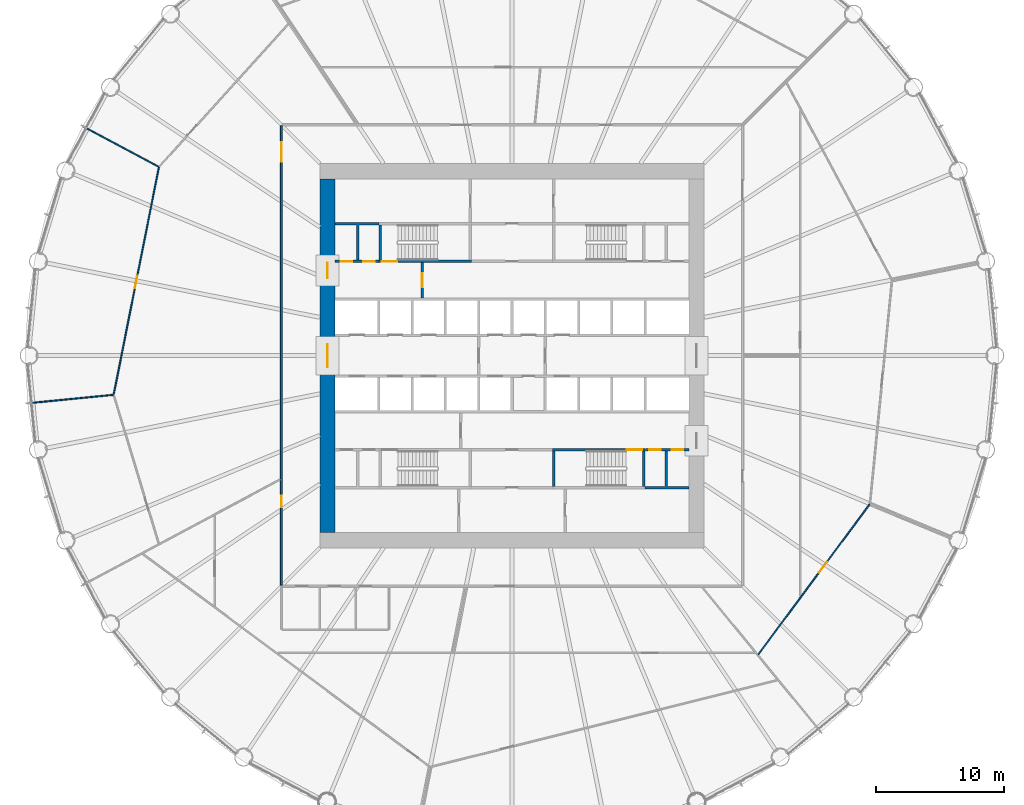
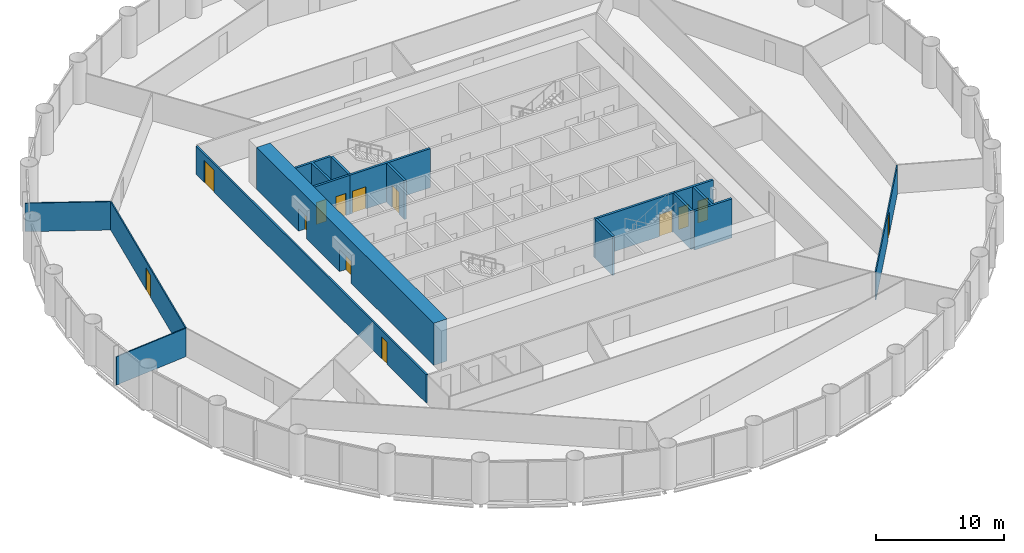
# One storey, part 11 of 15: 16 walls, 13 doors, 13 openings.
"""IFC4 building model written with IfcOpenShell, lengths in metres."""

from ifc_helpers import new_model, si_unit, direction, frame, frame_2d, origin, place, context, subcontext, project, spatial, polyline, rectangle, outline, extrude, material, layer, layer_set, type_object, element, fill, save


model = new_model("IFC4")

# Units and contexts
model_context = context("Model", 3, precision=1e-05, world=origin(), true_north=direction((0.0, 1.0)))
body_context = subcontext(model_context, "Body", "Model", "MODEL_VIEW")
ifc_project = project(units=[si_unit("LENGTHUNIT", "METRE"), si_unit("AREAUNIT", "SQUARE_METRE"), si_unit("VOLUMEUNIT", "CUBIC_METRE"), si_unit("PLANEANGLEUNIT", "RADIAN"), si_unit("MASSUNIT", "GRAM", prefix="KILO")], contexts=[model_context])

# Site, building, storey
site_placement = place(None, origin())
site = spatial("IfcSite", under=ifc_project, at=site_placement, CompositionType="ELEMENT")
building_placement = place(site_placement, origin())
building = spatial("IfcBuilding", under=site, at=building_placement, Name="Corvane Civic Tower", CompositionType="ELEMENT")
storey_placement = place(building_placement, frame((0.0, 0.0, 45.0)))
storey = spatial("IfcBuildingStorey", under=building, at=storey_placement, Name="L09", CompositionType="ELEMENT", Elevation=45.0)

# Wall, openings, doors
ifc_material_1 = material(Name="Concrete C80/95", Category="concrete")
ifc_layer_1 = layer(ifc_material_1, 1.199951171875)
ifc_layer_set_1 = layer_set([ifc_layer_1], Name="Concrete C80/95")
wall_type_1 = type_object("IfcWallType", Name="CORE WALL 1200 C80/95", PredefinedType="SHEAR", material=ifc_layer_set_1)
wall_1_placement = place(storey_placement, frame((-14.39990234375, -13.800048828125, 0.0), z_axis=(0.0, 0.0, 1.0), x_axis=(0.0, 1.0, 0.0)))
wall_1 = element("IfcWall", 1, at=wall_1_placement, inside=storey, type_object=wall_type_1, Name="W-L09-core-W", PredefinedType="SHEAR", context=body_context, shape_type="SweptSolid", body=[
    extrude(rectangle(XDim=27.60009765625, YDim=1.199951171875, at=frame_2d((13.800048828125, 0.0))), origin(), (0.0, 0.0, 1.0), 4.0),
])
opening_1_placement = place(wall_1_placement, frame((12.89990234375, 0.0, 0.0)))
opening_1 = element("IfcOpeningElement", 2, at=opening_1_placement, cuts=wall_1, Name="Opening L09.C26", PredefinedType="OPENING", context=body_context, shape_type="SweptSolid", body=[
    extrude(rectangle(XDim=1.800048828125, YDim=2.10009765625, at=frame_2d((0.89990234375, 1.050048828125))), frame((0.0, 0.60986328125, 0.0), z_axis=(0.0, -1.0, 0.0), x_axis=(1.0, 0.0, 0.0)), (0.0, 0.0, 1.0), 1.219970703125),
])
opening_2_placement = place(wall_1_placement, frame((19.85009765625, 0.0, 0.0)))
opening_2 = element("IfcOpeningElement", 3, at=opening_2_placement, cuts=wall_1, Name="Opening L09.C28", PredefinedType="OPENING", context=body_context, shape_type="SweptSolid", body=[
    extrude(rectangle(XDim=1.199951171875, YDim=2.10009765625, at=frame_2d((0.60009765625, 1.050048828125))), frame((0.0, 0.60986328125, 0.0), z_axis=(0.0, -1.0, 0.0), x_axis=(1.0, 0.0, 0.0)), (0.0, 0.0, 1.0), 1.219970703125),
])
ifc_material_2 = material(Name="Steel fire door leaf", Category="steel")
door_type_1 = type_object("IfcDoorType", Name="CR-DOOR-CORE-1800", OperationType="DOUBLE_DOOR_SINGLE_SWING", PredefinedType="DOOR", material=ifc_material_2)
door_1_placement = place(opening_1_placement, origin())
door_1 = element("IfcDoor", 4, at=door_1_placement, inside=storey, type_object=door_type_1, Name="L09 door", OperationType="DOUBLE_DOOR_SINGLE_SWING", OverallHeight=2.10009765625, OverallWidth=1.800048828125, PredefinedType="DOOR", context=body_context, shape_type="SweptSolid", body=[
    extrude(rectangle(XDim=1.800048828125, YDim=2.10009765625, at=frame_2d((0.89990234375, 1.050048828125))), frame((0.0, 0.02490234375, 0.0), z_axis=(0.0, -1.0, 0.0), x_axis=(1.0, 0.0, 0.0)), (0.0, 0.0, 1.0), 0.050048828125),
])
fill(opening_1, door_1)
door_2_placement = place(opening_2_placement, origin())
door_2 = element("IfcDoor", 5, at=door_2_placement, inside=storey, type_object=door_type_1, Name="L09 door", OperationType="DOUBLE_DOOR_SINGLE_SWING", OverallHeight=2.10009765625, OverallWidth=1.199951171875, PredefinedType="DOOR", context=body_context, shape_type="SweptSolid", body=[
    extrude(rectangle(XDim=1.199951171875, YDim=2.10009765625, at=frame_2d((0.60009765625, 1.050048828125))), frame((0.0, 0.02490234375, 0.0), z_axis=(0.0, -1.0, 0.0), x_axis=(1.0, 0.0, 0.0)), (0.0, 0.0, 1.0), 0.050048828125),
])
fill(opening_2, door_2)

ifc_material_3 = material(Name="Concrete C30/37", Category="concrete")
ifc_layer_2 = layer(ifc_material_3, 0.199951171875)
ifc_layer_set_2 = layer_set([ifc_layer_2], Name="Concrete C30/37")
wall_type_2 = type_object("IfcWallType", Name="CR-WALL-200", PredefinedType="PARTITIONING", material=ifc_layer_set_2)
wall_2_placement = place(storey_placement, frame((10.39990234375, -7.35009765625, 0.0), z_axis=(0.0, 0.0, 1.0), x_axis=(1.0, 0.0, 0.0)))
wall_2 = element("IfcWall", 6, at=wall_2_placement, inside=storey, type_object=wall_type_2, Name="L09 core partition wall", PredefinedType="PARTITIONING", context=body_context, shape_type="SweptSolid", body=[
    extrude(rectangle(XDim=3.400146484375, YDim=0.199951171875, at=frame_2d((1.7001953125, 0.0))), origin(), (0.0, 0.0, 1.0), 3.699951171875),
])
opening_3_placement = place(wall_2_placement, frame((0.324951171875, 0.0, 0.0)))
opening_3 = element("IfcOpeningElement", 7, at=opening_3_placement, cuts=wall_2, Name="Opening L09.C16", PredefinedType="OPENING", context=body_context, shape_type="SweptSolid", body=[
    extrude(rectangle(XDim=0.89990234375, YDim=2.10009765625, at=frame_2d((0.449951171875, 1.050048828125))), frame((0.0, 0.10986328125, 0.0), z_axis=(0.0, -1.0, 0.0), x_axis=(1.0, 0.0, 0.0)), (0.0, 0.0, 1.0), 0.219970703125),
])
opening_4_placement = place(wall_2_placement, frame((2.074951171875, 0.0, 0.0)))
opening_4 = element("IfcOpeningElement", 8, at=opening_4_placement, cuts=wall_2, Name="Opening L09.C17", PredefinedType="OPENING", context=body_context, shape_type="SweptSolid", body=[
    extrude(rectangle(XDim=0.89990234375, YDim=2.10009765625, at=frame_2d((0.449951171875, 1.050048828125))), frame((0.0, 0.10986328125, 0.0), z_axis=(0.0, -1.0, 0.0), x_axis=(1.0, 0.0, 0.0)), (0.0, 0.0, 1.0), 0.219970703125),
])
ifc_material_4 = material(Name="Steel fire door leaf", Category="steel")
door_type_2 = type_object("IfcDoorType", Name="CR-DOOR-900", OperationType="SINGLE_SWING_LEFT", PredefinedType="DOOR", material=ifc_material_4)
door_3_placement = place(opening_3_placement, origin())
door_3 = element("IfcDoor", 9, at=door_3_placement, inside=storey, type_object=door_type_2, Name="L09 door", OperationType="SINGLE_SWING_LEFT", OverallHeight=2.10009765625, OverallWidth=0.89990234375, PredefinedType="DOOR", context=body_context, shape_type="SweptSolid", body=[
    extrude(rectangle(XDim=0.89990234375, YDim=2.10009765625, at=frame_2d((0.449951171875, 1.050048828125))), frame((0.0, 0.02490234375, 0.0), z_axis=(0.0, -1.0, 0.0), x_axis=(1.0, 0.0, 0.0)), (0.0, 0.0, 1.0), 0.050048828125),
])
fill(opening_3, door_3)
door_4_placement = place(opening_4_placement, origin())
door_4 = element("IfcDoor", 10, at=door_4_placement, inside=storey, type_object=door_type_2, Name="L09 door", OperationType="SINGLE_SWING_LEFT", OverallHeight=2.10009765625, OverallWidth=0.89990234375, PredefinedType="DOOR", context=body_context, shape_type="SweptSolid", body=[
    extrude(rectangle(XDim=0.89990234375, YDim=2.10009765625, at=frame_2d((0.449951171875, 1.050048828125))), frame((0.0, 0.02490234375, 0.0), z_axis=(0.0, -1.0, 0.0), x_axis=(1.0, 0.0, 0.0)), (0.0, 0.0, 1.0), 0.050048828125),
])
fill(opening_4, door_4)

wall_3_placement = place(storey_placement, frame((-13.800048828125, 7.35009765625, 0.0), z_axis=(0.0, 0.0, 1.0), x_axis=(1.0, 0.0, 0.0)))
wall_3 = element("IfcWall", 11, at=wall_3_placement, inside=storey, type_object=wall_type_2, Name="L09 core partition wall", PredefinedType="PARTITIONING", context=body_context, shape_type="SweptSolid", body=[
    extrude(rectangle(XDim=3.400146484375, YDim=0.199951171875, at=frame_2d((1.7001953125, 0.0))), origin(), (0.0, 0.0, 1.0), 3.699951171875),
])
opening_5_placement = place(wall_3_placement, frame((0.425048828125, 0.0, 0.0)))
opening_5 = element("IfcOpeningElement", 12, at=opening_5_placement, cuts=wall_3, Name="Opening L09.C10", PredefinedType="OPENING", context=body_context, shape_type="SweptSolid", body=[
    extrude(rectangle(XDim=0.89990234375, YDim=2.10009765625, at=frame_2d((0.449951171875, 1.050048828125))), frame((0.0, 0.10986328125, 0.0), z_axis=(0.0, -1.0, 0.0), x_axis=(1.0, 0.0, 0.0)), (0.0, 0.0, 1.0), 0.219970703125),
])
opening_6_placement = place(wall_3_placement, frame((2.175048828125, 0.0, 0.0)))
opening_6 = element("IfcOpeningElement", 13, at=opening_6_placement, cuts=wall_3, Name="Opening L09.C11", PredefinedType="OPENING", context=body_context, shape_type="SweptSolid", body=[
    extrude(rectangle(XDim=0.89990234375, YDim=2.10009765625, at=frame_2d((0.449951171875, 1.050048828125))), frame((0.0, 0.10986328125, 0.0), z_axis=(0.0, -1.0, 0.0), x_axis=(1.0, 0.0, 0.0)), (0.0, 0.0, 1.0), 0.219970703125),
])
door_5_placement = place(opening_5_placement, origin())
door_5 = element("IfcDoor", 14, at=door_5_placement, inside=storey, type_object=door_type_2, Name="L09 door", OperationType="SINGLE_SWING_LEFT", OverallHeight=2.10009765625, OverallWidth=0.89990234375, PredefinedType="DOOR", context=body_context, shape_type="SweptSolid", body=[
    extrude(rectangle(XDim=0.89990234375, YDim=2.10009765625, at=frame_2d((0.449951171875, 1.050048828125))), frame((0.0, 0.02490234375, 0.0), z_axis=(0.0, -1.0, 0.0), x_axis=(1.0, 0.0, 0.0)), (0.0, 0.0, 1.0), 0.050048828125),
])
fill(opening_5, door_5)
door_6_placement = place(opening_6_placement, origin())
door_6 = element("IfcDoor", 15, at=door_6_placement, inside=storey, type_object=door_type_2, Name="L09 door", OperationType="SINGLE_SWING_LEFT", OverallHeight=2.10009765625, OverallWidth=0.89990234375, PredefinedType="DOOR", context=body_context, shape_type="SweptSolid", body=[
    extrude(rectangle(XDim=0.89990234375, YDim=2.10009765625, at=frame_2d((0.449951171875, 1.050048828125))), frame((0.0, 0.02490234375, 0.0), z_axis=(0.0, -1.0, 0.0), x_axis=(1.0, 0.0, 0.0)), (0.0, 0.0, 1.0), 0.050048828125),
])
fill(opening_6, door_6)

# Wall, opening, door
wall_4_placement = place(storey_placement, frame((-7.0, 4.5, 0.0), z_axis=(0.0, 0.0, 1.0), x_axis=(0.0, 1.0, 0.0)))
wall_4 = element("IfcWall", 16, at=wall_4_placement, inside=storey, type_object=wall_type_2, Name="L09 core partition wall", PredefinedType="PARTITIONING", context=body_context, shape_type="SweptSolid", body=[
    extrude(rectangle(XDim=2.75, YDim=0.199951171875, at=frame_2d((1.375, 0.0))), origin(), (0.0, 0.0, 1.0), 3.699951171875),
])
opening_7_placement = place(wall_4_placement, frame((0.824951171875, 0.0, 0.0)))
opening_7 = element("IfcOpeningElement", 17, at=opening_7_placement, cuts=wall_4, Name="Opening L09.C24", PredefinedType="OPENING", context=body_context, shape_type="SweptSolid", body=[
    extrude(rectangle(XDim=1.10009765625, YDim=2.10009765625, at=frame_2d((0.550048828125, 1.050048828125))), frame((0.0, 0.10986328125, 0.0), z_axis=(0.0, -1.0, 0.0), x_axis=(1.0, 0.0, 0.0)), (0.0, 0.0, 1.0), 0.219970703125),
])
ifc_material_5 = material(Name="Steel fire door leaf", Category="steel")
door_type_3 = type_object("IfcDoorType", Name="CR-DOOR-FFL-1100", OperationType="SINGLE_SWING_LEFT", PredefinedType="DOOR", material=ifc_material_5)
door_7_placement = place(opening_7_placement, origin())
door_7 = element("IfcDoor", 18, at=door_7_placement, inside=storey, type_object=door_type_3, Name="L09 lobby door", OperationType="SINGLE_SWING_LEFT", OverallHeight=2.10009765625, OverallWidth=1.10009765625, PredefinedType="DOOR", context=body_context, shape_type="SweptSolid", body=[
    extrude(rectangle(XDim=1.10009765625, YDim=2.10009765625, at=frame_2d((0.550048828125, 1.050048828125))), frame((0.0, 0.02490234375, 0.0), z_axis=(0.0, -1.0, 0.0), x_axis=(1.0, 0.0, 0.0)), (0.0, 0.0, 1.0), 0.050048828125),
])
fill(opening_7, door_7)

# Walls
wall_5_placement = place(storey_placement, origin())
element("IfcWall", 19, at=wall_5_placement, inside=storey, type_object=wall_type_2, Name="L09 core partition wall", PredefinedType="PARTITIONING", context=body_context, shape_type="SweptSolid", body=[
    extrude(outline(polyline([(-13.800048828125, 10.39990234375), (-10.39990234375, 10.39990234375), (-10.39990234375, 10.199951171875), (-11.949951171875, 10.199951171875), (-11.949951171875, 7.449951171875), (-12.14990234375, 7.449951171875), (-12.14990234375, 10.199951171875), (-13.800048828125, 10.199951171875), (-13.800048828125, 10.39990234375)])), origin(), (0.0, 0.0, 1.0), 3.699951171875),
])
wall_6_placement = place(storey_placement, origin())
element("IfcWall", 20, at=wall_6_placement, inside=storey, type_object=wall_type_2, Name="L09 core partition wall", PredefinedType="PARTITIONING", context=body_context, shape_type="SweptSolid", body=[
    extrude(outline(polyline([(11.949951171875, -7.449951171875), (12.14990234375, -7.449951171875), (12.14990234375, -10.199951171875), (13.800048828125, -10.199951171875), (13.800048828125, -10.39990234375), (10.39990234375, -10.39990234375), (10.39990234375, -10.199951171875), (11.949951171875, -10.199951171875), (11.949951171875, -7.449951171875)])), origin(), (0.0, 0.0, 1.0), 3.699951171875),
])

# Wall, opening, door
ifc_material_6 = material(Name="Plasterboard")
ifc_layer_3 = layer(ifc_material_6, 0.10009765625)
ifc_layer_set_3 = layer_set([ifc_layer_3], Name="Plasterboard")
wall_type_3 = type_object("IfcWallType", Name="Partition 100 plasterboard on studs", PredefinedType="PARTITIONING", material=ifc_layer_set_3)
wall_7_placement = place(storey_placement, frame((19.222900390625, -23.3251953125, 0.0), z_axis=(0.0, 0.0, 1.0), x_axis=(0.595692367328, 0.803212676386, 0.0)))
wall_7 = element("IfcWall", 21, at=wall_7_placement, inside=storey, type_object=wall_type_3, Name="Partition L09.005", PredefinedType="PARTITIONING", context=body_context, shape_type="SweptSolid", body=[
    extrude(rectangle(XDim=14.5927734375, YDim=0.10009765625, at=frame_2d((7.29638671875, 0.0))), origin(), (0.0, 0.0, 1.0), 2.699951171875),
])
opening_8_placement = place(wall_7_placement, frame((7.977783203125, 0.0, 0.0)))
opening_8 = element("IfcOpeningElement", 22, at=opening_8_placement, cuts=wall_7, Name="Opening L09.003", PredefinedType="OPENING", context=body_context, shape_type="SweptSolid", body=[
    extrude(rectangle(XDim=1.0, YDim=2.10009765625, at=frame_2d((0.5, 1.050048828125))), frame((0.0, 0.06005859375, 0.0), z_axis=(0.0, -1.0, 0.0), x_axis=(1.0, 0.0, 0.0)), (0.0, 0.0, 1.0), 0.1201171875),
])
ifc_material_7 = material(Name="Timber", Category="wood")
door_type_4 = type_object("IfcDoorType", Name="Single door 1000", OperationType="NOTDEFINED", PredefinedType="DOOR", material=ifc_material_7)
door_8_placement = place(opening_8_placement, frame((1.0, 0.0, 0.0), z_axis=(0.0, 0.0, 1.0), x_axis=(-1.0, 0.0, 0.0)))
door_8 = element("IfcDoor", 23, at=door_8_placement, inside=storey, type_object=door_type_4, Name="Door L09.003", OperationType="SINGLE_SWING_LEFT", OverallHeight=2.10009765625, OverallWidth=1.0, PredefinedType="DOOR", context=body_context, shape_type="SweptSolid", body=[
    extrude(rectangle(XDim=1.0, YDim=2.10009765625, at=frame_2d((0.5, 1.050048828125))), frame((0.0, 0.02490234375, 0.0), z_axis=(0.0, -1.0, 0.0), x_axis=(1.0, 0.0, 0.0)), (0.0, 0.0, 1.0), 0.050048828125),
])
fill(opening_8, door_8)

# Wall
wall_8_placement = place(storey_placement, frame((-37.767333984375, -3.7197265625, 0.0), z_axis=(0.0, 0.0, 1.0), x_axis=(0.995186878192, 0.097995293128, 0.0)))
element("IfcWall", 24, at=wall_8_placement, inside=storey, type_object=wall_type_3, Name="Partition L09.022", PredefinedType="PARTITIONING", context=body_context, shape_type="SweptSolid", body=[
    extrude(rectangle(XDim=6.666748046875, YDim=0.10009765625, at=frame_2d((3.33349609375, 0.0))), origin(), (0.0, 0.0, 1.0), 2.699951171875),
])

# Wall, opening, door
wall_9_placement = place(storey_placement, frame((-31.08447265625, -3.02587890625, 0.0), z_axis=(0.0, 0.0, 1.0), x_axis=(0.195094577549, 0.980784433916, 0.0)))
wall_9 = element("IfcWall", 25, at=wall_9_placement, inside=storey, type_object=wall_type_3, Name="Partition L09.023", PredefinedType="PARTITIONING", context=body_context, shape_type="SweptSolid", body=[
    extrude(rectangle(XDim=18.06396484375, YDim=0.10009765625, at=frame_2d((9.031982421875, 0.0))), origin(), (0.0, 0.0, 1.0), 2.699951171875),
])
opening_9_placement = place(wall_9_placement, frame((8.44921875, 0.0, 0.0)))
opening_9 = element("IfcOpeningElement", 26, at=opening_9_placement, cuts=wall_9, Name="Opening L09.017", PredefinedType="OPENING", context=body_context, shape_type="SweptSolid", body=[
    extrude(rectangle(XDim=1.0, YDim=2.10009765625, at=frame_2d((0.5, 1.050048828125))), frame((0.0, 0.06005859375, 0.0), z_axis=(0.0, -1.0, 0.0), x_axis=(1.0, 0.0, 0.0)), (0.0, 0.0, 1.0), 0.1201171875),
])
door_9_placement = place(opening_9_placement, origin())
door_9 = element("IfcDoor", 27, at=door_9_placement, inside=storey, type_object=door_type_4, Name="Door L09.017", OperationType="SINGLE_SWING_LEFT", OverallHeight=2.10009765625, OverallWidth=1.0, PredefinedType="DOOR", context=body_context, shape_type="SweptSolid", body=[
    extrude(rectangle(XDim=1.0, YDim=2.10009765625, at=frame_2d((0.5, 1.050048828125))), frame((0.0, 0.02490234375, 0.0), z_axis=(0.0, -1.0, 0.0), x_axis=(1.0, 0.0, 0.0)), (0.0, 0.0, 1.0), 0.050048828125),
])
fill(opening_9, door_9)

# Wall
wall_10_placement = place(storey_placement, frame((-33.468994140625, 17.8896484375, 0.0), z_axis=(0.0, 0.0, 1.0), x_axis=(0.881919860776, -0.471399362717, 0.0)))
element("IfcWall", 28, at=wall_10_placement, inside=storey, type_object=wall_type_3, Name="Partition L09.027", PredefinedType="PARTITIONING", context=body_context, shape_type="SweptSolid", body=[
    extrude(rectangle(XDim=6.669189453125, YDim=0.10009765625, at=frame_2d((3.33447265625, 0.0))), origin(), (0.0, 0.0, 1.0), 2.699951171875),
])

# Wall, opening, door
ifc_material_8 = material(Name="Concrete C50/60", Category="concrete")
ifc_layer_4 = layer(ifc_material_8, 0.199951171875)
ifc_layer_set_4 = layer_set([ifc_layer_4], Name="Concrete C50/60")
wall_type_4 = type_object("IfcWallType", Name="ST-WALL-200", PredefinedType="SHEAR", material=ifc_layer_set_4)
wall_11_placement = place(storey_placement, frame((3.14990234375, -7.35009765625, 0.0), z_axis=(0.0, 0.0, 1.0), x_axis=(1.0, 0.0, 0.0)))
wall_11 = element("IfcWall", 29, at=wall_11_placement, inside=storey, type_object=wall_type_4, Name="L09 stair enclosure wall", PredefinedType="SHEAR", context=body_context, shape_type="SweptSolid", body=[
    extrude(rectangle(XDim=7.25, YDim=0.199951171875, at=frame_2d((3.625, 0.0))), origin(), (0.0, 0.0, 1.0), 3.699951171875),
])
opening_10_placement = place(wall_11_placement, frame((5.800048828125, 0.0, 0.0)))
opening_10 = element("IfcOpeningElement", 30, at=opening_10_placement, cuts=wall_11, Name="Opening L09.C20", PredefinedType="OPENING", context=body_context, shape_type="SweptSolid", body=[
    extrude(rectangle(XDim=1.199951171875, YDim=2.10009765625, at=frame_2d((0.60009765625, 1.050048828125))), frame((0.0, 0.10986328125, 0.0), z_axis=(0.0, -1.0, 0.0), x_axis=(1.0, 0.0, 0.0)), (0.0, 0.0, 1.0), 0.219970703125),
])
ifc_material_9 = material(Name="Steel fire door leaf", Category="steel")
door_type_5 = type_object("IfcDoorType", Name="ST-DOOR-1200", OperationType="SINGLE_SWING_RIGHT", PredefinedType="DOOR", material=ifc_material_9)
door_10_placement = place(opening_10_placement, origin())
door_10 = element("IfcDoor", 31, at=door_10_placement, inside=storey, type_object=door_type_5, Name="L09 stair door", OperationType="SINGLE_SWING_RIGHT", OverallHeight=2.10009765625, OverallWidth=1.199951171875, PredefinedType="DOOR", context=body_context, shape_type="SweptSolid", body=[
    extrude(rectangle(XDim=1.199951171875, YDim=2.10009765625, at=frame_2d((0.60009765625, 1.050048828125))), frame((0.0, 0.02490234375, 0.0), z_axis=(0.0, -1.0, 0.0), x_axis=(1.0, 0.0, 0.0)), (0.0, 0.0, 1.0), 0.050048828125),
])
fill(opening_10, door_10)

wall_12_placement = place(storey_placement, frame((-10.39990234375, 7.35009765625, 0.0), z_axis=(0.0, 0.0, 1.0), x_axis=(1.0, 0.0, 0.0)))
wall_12 = element("IfcWall", 32, at=wall_12_placement, inside=storey, type_object=wall_type_4, Name="L09 stair enclosure wall", PredefinedType="SHEAR", context=body_context, shape_type="SweptSolid", body=[
    extrude(rectangle(XDim=7.25, YDim=0.199951171875, at=frame_2d((3.625, 0.0))), origin(), (0.0, 0.0, 1.0), 3.699951171875),
])
opening_11_placement = place(wall_12_placement, frame((0.25, 0.0, 0.0)))
opening_11 = element("IfcOpeningElement", 33, at=opening_11_placement, cuts=wall_12, Name="Opening L09.C19", PredefinedType="OPENING", context=body_context, shape_type="SweptSolid", body=[
    extrude(rectangle(XDim=1.199951171875, YDim=2.10009765625, at=frame_2d((0.60009765625, 1.050048828125))), frame((0.0, 0.10986328125, 0.0), z_axis=(0.0, -1.0, 0.0), x_axis=(1.0, 0.0, 0.0)), (0.0, 0.0, 1.0), 0.219970703125),
])
door_11_placement = place(opening_11_placement, origin())
door_11 = element("IfcDoor", 34, at=door_11_placement, inside=storey, type_object=door_type_5, Name="L09 stair door", OperationType="SINGLE_SWING_RIGHT", OverallHeight=2.10009765625, OverallWidth=1.199951171875, PredefinedType="DOOR", context=body_context, shape_type="SweptSolid", body=[
    extrude(rectangle(XDim=1.199951171875, YDim=2.10009765625, at=frame_2d((0.60009765625, 1.050048828125))), frame((0.0, 0.02490234375, 0.0), z_axis=(0.0, -1.0, 0.0), x_axis=(1.0, 0.0, 0.0)), (0.0, 0.0, 1.0), 0.050048828125),
])
fill(opening_11, door_11)

# Walls
wall_13_placement = place(storey_placement, origin())
element("IfcWall", 35, at=wall_13_placement, inside=storey, type_object=wall_type_4, Name="L09 stair enclosure wall", PredefinedType="SHEAR", context=body_context, shape_type="SweptSolid", body=[
    extrude(outline(polyline([(3.35009765625, -7.449951171875), (3.35009765625, -10.199951171875), (3.14990234375, -10.199951171875), (3.14990234375, -7.449951171875), (3.35009765625, -7.449951171875)])), origin(), (0.0, 0.0, 1.0), 3.699951171875),
])
wall_14_placement = place(storey_placement, origin())
element("IfcWall", 36, at=wall_14_placement, inside=storey, type_object=wall_type_4, Name="L09 stair enclosure wall", PredefinedType="SHEAR", context=body_context, shape_type="SweptSolid", body=[
    extrude(outline(polyline([(-10.199951171875, 7.449951171875), (-10.39990234375, 7.449951171875), (-10.39990234375, 10.199951171875), (-10.199951171875, 10.199951171875), (-10.199951171875, 7.449951171875)])), origin(), (0.0, 0.0, 1.0), 3.699951171875),
])
wall_15_placement = place(storey_placement, origin())
element("IfcWall", 37, at=wall_15_placement, inside=storey, type_object=wall_type_4, Name="L09 stair enclosure wall", PredefinedType="SHEAR", context=body_context, shape_type="SweptSolid", body=[
    extrude(outline(polyline([(10.39990234375, -7.449951171875), (10.39990234375, -10.199951171875), (10.199951171875, -10.199951171875), (10.199951171875, -7.449951171875), (10.39990234375, -7.449951171875)])), origin(), (0.0, 0.0, 1.0), 3.699951171875),
])

# Wall, openings, doors
ifc_material_10 = material(Name="Plasterboard")
ifc_layer_5 = layer(ifc_material_10, 0.14990234375)
ifc_layer_set_5 = layer_set([ifc_layer_5], Name="Plasterboard")
wall_type_5 = type_object("IfcWallType", Name="Tenancy wall 150 EI 60", PredefinedType="PARTITIONING", material=ifc_layer_set_5)
wall_16_placement = place(storey_placement, frame((-18.0, -17.924072265625, 0.0), z_axis=(0.0, 0.0, 1.0), x_axis=(0.0, 1.0, 0.0)))
wall_16 = element("IfcWall", 38, at=wall_16_placement, inside=storey, type_object=wall_type_5, Name="Partition L09.017", PredefinedType="PARTITIONING", context=body_context, shape_type="SweptSolid", body=[
    extrude(rectangle(XDim=35.84912109375, YDim=0.14990234375, at=frame_2d((17.924560546875, 0.0))), origin(), (0.0, 0.0, 1.0), 2.699951171875),
])
opening_12_placement = place(wall_16_placement, frame((6.07958984375, 0.0, 0.0)))
opening_12 = element("IfcOpeningElement", 39, at=opening_12_placement, cuts=wall_16, Name="Opening L09.012", PredefinedType="OPENING", context=body_context, shape_type="SweptSolid", body=[
    extrude(rectangle(XDim=0.89990234375, YDim=2.10009765625, at=frame_2d((0.449951171875, 1.050048828125))), frame((0.0, 0.0849609375, 0.0), z_axis=(0.0, -1.0, 0.0), x_axis=(1.0, 0.0, 0.0)), (0.0, 0.0, 1.0), 0.169921875),
])
opening_13_placement = place(wall_16_placement, frame((33.059814453125, 0.0, 0.0)))
opening_13 = element("IfcOpeningElement", 40, at=opening_13_placement, cuts=wall_16, Name="Opening L09.019", PredefinedType="OPENING", context=body_context, shape_type="SweptSolid", body=[
    extrude(rectangle(XDim=1.5, YDim=2.10009765625, at=frame_2d((0.75, 1.050048828125))), frame((0.0, 0.0849609375, 0.0), z_axis=(0.0, -1.0, 0.0), x_axis=(1.0, 0.0, 0.0)), (0.0, 0.0, 1.0), 0.169921875),
])
ifc_material_11 = material(Name="Steel and timber", Category="steel")
door_type_6 = type_object("IfcDoorType", Name="Fire door FD30S 900", OperationType="NOTDEFINED", PredefinedType="DOOR", material=ifc_material_11)
door_12_placement = place(opening_12_placement, origin())
door_12 = element("IfcDoor", 41, at=door_12_placement, inside=storey, type_object=door_type_6, Name="Door L09.012", OperationType="SINGLE_SWING_LEFT", OverallHeight=2.10009765625, OverallWidth=0.89990234375, PredefinedType="DOOR", context=body_context, shape_type="SweptSolid", body=[
    extrude(rectangle(XDim=0.89990234375, YDim=2.10009765625, at=frame_2d((0.449951171875, 1.050048828125))), frame((0.0, 0.02490234375, 0.0), z_axis=(0.0, -1.0, 0.0), x_axis=(1.0, 0.0, 0.0)), (0.0, 0.0, 1.0), 0.050048828125),
])
fill(opening_12, door_12)
ifc_material_12 = material(Name="Steel and timber", Category="steel")
door_type_7 = type_object("IfcDoorType", Name="Fire door FD60 double 1500", OperationType="NOTDEFINED", PredefinedType="DOOR", material=ifc_material_12)
door_13_placement = place(opening_13_placement, origin())
door_13 = element("IfcDoor", 42, at=door_13_placement, inside=storey, type_object=door_type_7, Name="Door L09.019", OperationType="DOUBLE_DOOR_SINGLE_SWING", OverallHeight=2.10009765625, OverallWidth=1.5, PredefinedType="DOOR", context=body_context, shape_type="SweptSolid", body=[
    extrude(rectangle(XDim=1.5, YDim=2.10009765625, at=frame_2d((0.75, 1.050048828125))), frame((0.0, 0.02490234375, 0.0), z_axis=(0.0, -1.0, 0.0), x_axis=(1.0, 0.0, 0.0)), (0.0, 0.0, 1.0), 0.050048828125),
])
fill(opening_13, door_13)

save(model, "model.ifc")
